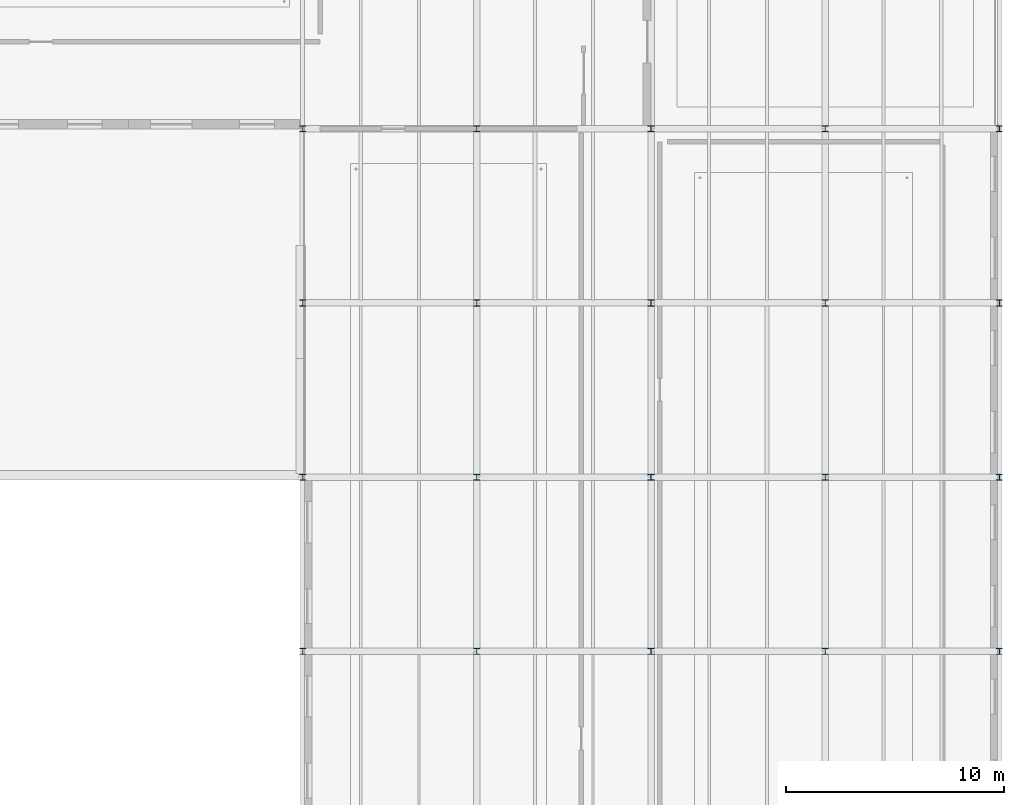
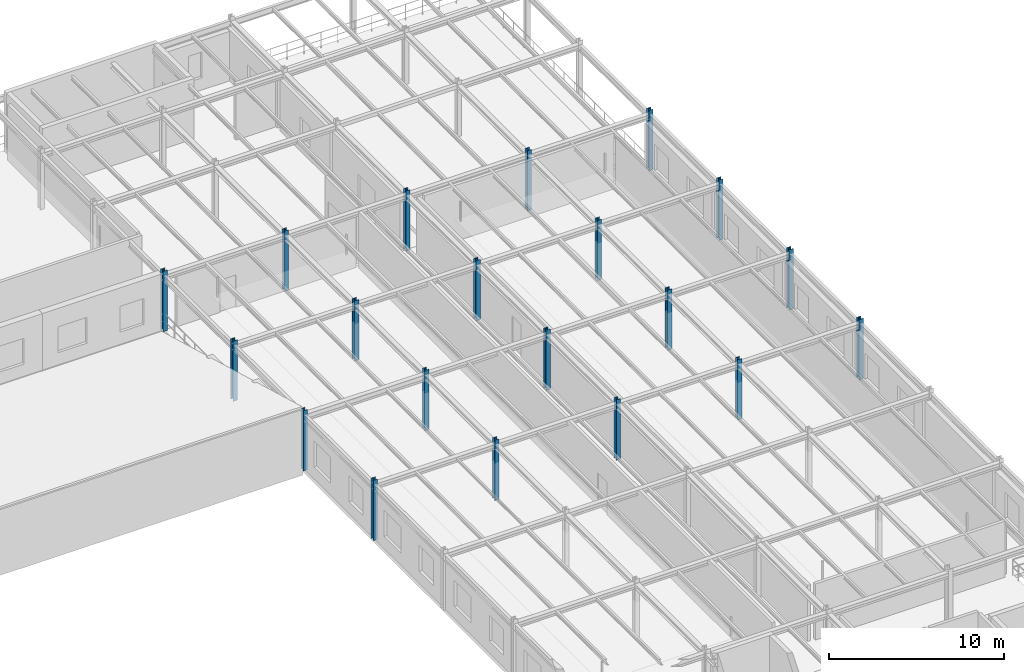
# One storey, part 17 of 124: 20 columns.
"""IFC4 building model written with IfcOpenShell, lengths in metres."""

from ifc_helpers import new_model, si_unit, direction, frame, origin, origin_2d, place, context, subcontext, project, spatial, i_section, extrude, material, material_profile, profile_set, type_object, element, save


model = new_model("IFC4")

# Units and contexts
model_context = context("Model", 3, precision=1e-05, world=origin(), true_north=direction((0.0, 1.0)))
body_context = subcontext(model_context, "Body", "Model", "MODEL_VIEW")
ifc_project = project(units=[si_unit("LENGTHUNIT", "METRE"), si_unit("AREAUNIT", "SQUARE_METRE"), si_unit("VOLUMEUNIT", "CUBIC_METRE"), si_unit("PLANEANGLEUNIT", "RADIAN"), si_unit("MASSUNIT", "GRAM", prefix="KILO")], contexts=[model_context])

# Site, building, storey
site_placement = place(None, origin())
site = spatial("IfcSite", under=ifc_project, at=site_placement, CompositionType="ELEMENT")
building_placement = place(site_placement, origin())
building = spatial("IfcBuilding", under=site, at=building_placement, Name="Sundkrona Museum", CompositionType="ELEMENT")
storey_placement = place(building_placement, frame((0.0, 0.0, 17.60009765625)))
storey = spatial("IfcBuildingStorey", under=building, at=storey_placement, Name="L03", CompositionType="ELEMENT", Elevation=17.60009765625)

# Columns
ifc_material = material(Name="Steel S355J2", Category="steel")
ifc_material_profile = material_profile(ifc_material, i_section(OverallWidth=0.280029296875, OverallDepth=0.280029296875, WebThickness=0.010498046875, FlangeThickness=0.01806640625, FilletRadius=0.02392578125, at=origin_2d()), Name="HEB 280")
ifc_profile_set = profile_set([ifc_material_profile], Name="Steel S355J2")
column_type = type_object("IfcColumnType", Name="C-HEB280", PredefinedType="COLUMN", material=ifc_profile_set)
for number, where, z_axis, x_axis, name in (
    (1, (136.0, 70.0, 0.0), (0.0, 0.0, 1.0), (1.0, 0.0, 0.0), "L03 Column K/18"),
    (2, (136.0, 78.0, 0.0), (0.0, 0.0, 1.0), (1.0, 0.0, 0.0), "L03 Column L/18"),
    (3, (136.0, 86.0, 0.0), (0.0, 0.0, 1.0), (1.0, 0.0, 0.0), "L03 Column M/18"),
    (4, (136.0, 94.0, 0.0), (0.0, 0.0, 1.0), (1.0, 0.0, 0.0), "L03 Column N/18"),
    (5, (144.0, 70.0, 0.0), (0.0, 0.0, 1.0), (1.0, 0.0, 0.0), "L03 Column K/19"),
    (6, (144.0, 78.0, 0.0), (0.0, 0.0, 1.0), (1.0, 0.0, 0.0), "L03 Column L/19"),
    (7, (144.0, 86.0, 0.0), (0.0, 0.0, 1.0), (1.0, 0.0, 0.0), "L03 Column M/19"),
    (8, (144.0, 94.0, 0.0), (0.0, 0.0, 1.0), (1.0, 0.0, 0.0), "L03 Column N/19"),
    (9, (152.0, 70.0, 0.0), (0.0, 0.0, 1.0), (1.0, 0.0, 0.0), "L03 Column K/20"),
    (10, (152.0, 78.0, 0.0), (0.0, 0.0, 1.0), (1.0, 0.0, 0.0), "L03 Column L/20"),
    (11, (152.0, 86.0, 0.0), (0.0, 0.0, 1.0), (1.0, 0.0, 0.0), "L03 Column M/20"),
    (12, (152.0, 94.0, 0.0), (0.0, 0.0, 1.0), (1.0, 0.0, 0.0), "L03 Column N/20"),
    (13, (160.0, 70.0, 0.0), (0.0, 0.0, 1.0), (1.0, 0.0, 0.0), "L03 Column K/21"),
    (14, (160.0, 78.0, 0.0), (0.0, 0.0, 1.0), (1.0, 0.0, 0.0), "L03 Column L/21"),
    (15, (160.0, 86.0, 0.0), (0.0, 0.0, 1.0), (1.0, 0.0, 0.0), "L03 Column M/21"),
    (16, (160.0, 94.0, 0.0), (0.0, 0.0, 1.0), (1.0, 0.0, 0.0), "L03 Column N/21"),
    (17, (168.0, 70.0, 0.0), (0.0, 0.0, 1.0), (1.0, 0.0, 0.0), "L03 Column K/22"),
    (18, (168.0, 78.0, 0.0), (0.0, 0.0, 1.0), (1.0, 0.0, 0.0), "L03 Column L/22"),
    (19, (168.0, 86.0, 0.0), (0.0, 0.0, 1.0), (1.0, 0.0, 0.0), "L03 Column M/22"),
    (20, (168.0, 94.0, 0.0), (0.0, 0.0, 1.0), (1.0, 0.0, 0.0), "L03 Column N/22"),
):
    element("IfcColumn", number, at=place(storey_placement, frame(where, z_axis=z_axis, x_axis=x_axis)), inside=storey, type_object=column_type, Name=name, PredefinedType="COLUMN", context=body_context, shape_type="SweptSolid", body=[
        extrude(i_section(OverallWidth=0.280029296875, OverallDepth=0.280029296875, WebThickness=0.010498046875, FlangeThickness=0.01806640625, FilletRadius=0.02392578125, at=origin_2d()), origin(), (0.0, 0.0, 1.0), 4.199951171875),
    ])

save(model, "model.ifc")
